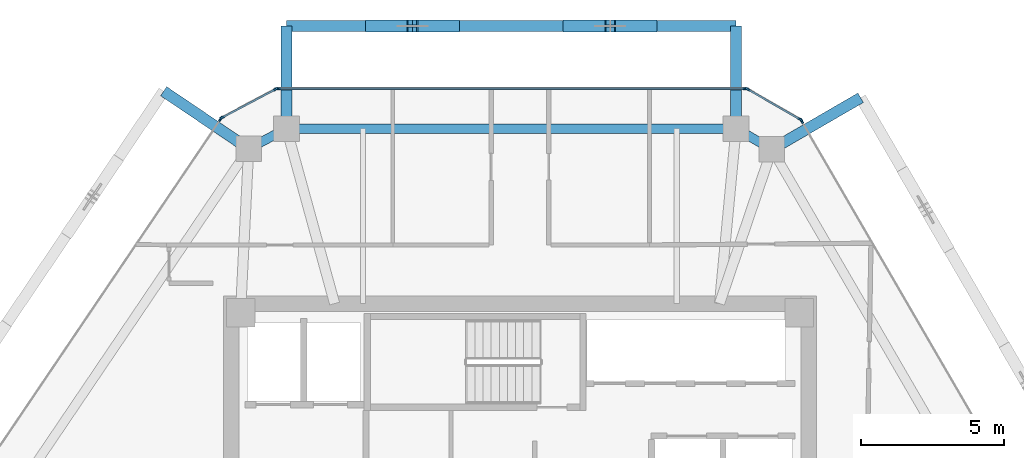
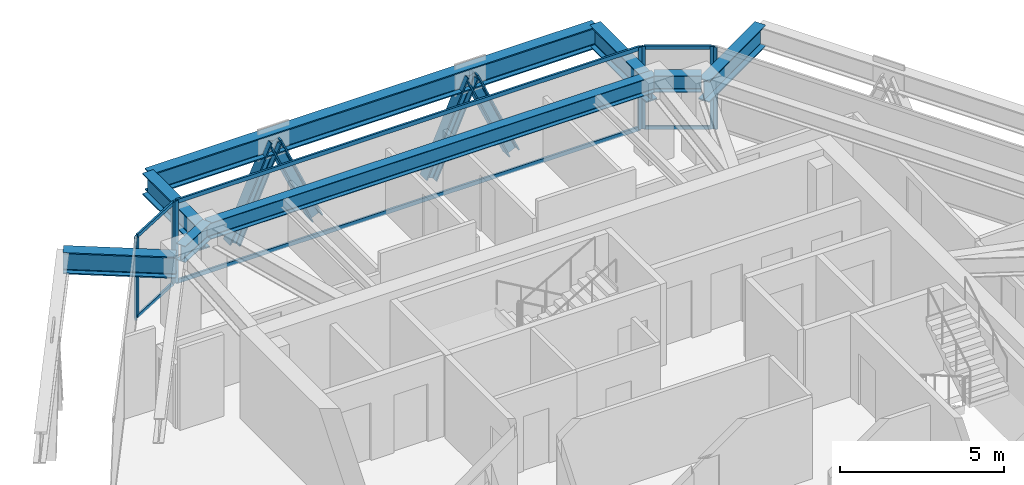
# One storey, part 6 of 13: 18 members, 8 beams, 5 elements without a shape of their own.
"""IFC4 building model written with IfcOpenShell, lengths in metres."""

from ifc_helpers import new_model, si_unit, direction, frame, origin, origin_2d, place, context, subcontext, project, spatial, rectangle, i_section, extrude, source, transform, mapped, material, layer, layer_set, material_profile, profile_set, type_object, type_shapes, element, aggregate, save


model = new_model("IFC4")

# Units and contexts
model_context = context("Model", 3, precision=1e-05, world=origin(), true_north=direction((0.0, 1.0)))
body_context = subcontext(model_context, "Body", "Model", "MODEL_VIEW")
ifc_project = project(units=[si_unit("LENGTHUNIT", "METRE"), si_unit("AREAUNIT", "SQUARE_METRE"), si_unit("VOLUMEUNIT", "CUBIC_METRE"), si_unit("PLANEANGLEUNIT", "RADIAN"), si_unit("MASSUNIT", "GRAM", prefix="KILO")], contexts=[model_context])

# Site, building, storey
site_placement = place(None, origin())
site = spatial("IfcSite", under=ifc_project, at=site_placement, CompositionType="ELEMENT")
building_placement = place(site_placement, origin())
building = spatial("IfcBuilding", under=site, at=building_placement, Name="Durnholm Broadcast Tower", CompositionType="ELEMENT")
storey_placement = place(building_placement, frame((0.0, 0.0, 241.39990234375)))
storey = spatial("IfcBuildingStorey", under=building, at=storey_placement, Name="L67", CompositionType="ELEMENT", Elevation=241.39990234375)

# Beams
ifc_material_1 = material(Name="Steel ASTM A992 Grade 50", Category="steel")
ifc_material_profile_1 = material_profile(ifc_material_1, i_section(OverallWidth=0.385009765625, OverallDepth=0.802978515625, WebThickness=0.023681640625, FlangeThickness=0.0419921875, FilletRadius=0.032958984375, at=origin_2d()), Name="W30X261")
ifc_profile_set_1 = profile_set([ifc_material_profile_1], Name="Steel ASTM A992 Grade 50")
beam_type_1 = type_object("IfcBeamType", Name="BM-EXO-TIE", PredefinedType="USERDEFINED", material=ifc_profile_set_1)
shared_shape_1 = source(origin(), body_context, "Body", "SweptSolid", [
    extrude(i_section(OverallWidth=0.385009765625, OverallDepth=0.802978515625, WebThickness=0.023681640625, FlangeThickness=0.0419921875, FilletRadius=0.032958984375, at=origin_2d()), origin(), (0.0, 0.0, 1.0), 3.4560546875),
])
for number, where, z_axis, x_axis, name in (
    (1, (7.57958984375, 14.406005859375, 2.30859375), (0.0, 1.0, 0.0), (-1.0, 0.0, 0.0), "L67 exoskeleton stand-off tie bracket F4.1"),
    (2, (-8.187744140625, 14.406005859375, 2.30859375), (0.0, 1.0, 0.0), (-1.0, 0.0, 0.0), "L67 exoskeleton stand-off tie bracket F4.2"),
):
    element("IfcBeam", number, at=place(storey_placement, frame(where, z_axis=z_axis, x_axis=x_axis)), inside=storey, type_object=beam_type_1, Name=name, ObjectType="GIRDER", PredefinedType="USERDEFINED", context=body_context, shape_type="MappedRepresentation", body=[
        mapped(shared_shape_1, transform((0.0, 0.0, 0.0), x_axis=(1.0, 0.0, 0.0), y_axis=(0.0, 1.0, 0.0), z_axis=(0.0, 0.0, 1.0), scale=1.0)),
    ])
shared_shape_2 = source(origin(), body_context, "Body", "SweptSolid", [
    extrude(i_section(OverallWidth=0.385009765625, OverallDepth=0.802978515625, WebThickness=0.023681640625, FlangeThickness=0.0419921875, FilletRadius=0.032958984375, at=origin_2d()), origin(), (0.0, 0.0, 1.0), 3.455810546875),
])
for number, where, z_axis, x_axis, name in (
    (3, (8.9619140625, 13.610107421875, 2.30859375), (0.864906682814, 0.501932694715, 0.0), (-0.501932694715, 0.864906682814, 0.0), "L67 exoskeleton stand-off tie bracket F3.2"),
    (4, (-9.63427734375, 13.637939453125, 2.30859375), (-0.828446342252, 0.560068440469, 0.0), (-0.560068440469, -0.828446342252, 0.0), "L67 exoskeleton stand-off tie bracket F5.1"),
):
    element("IfcBeam", number, at=place(storey_placement, frame(where, z_axis=z_axis, x_axis=x_axis)), inside=storey, type_object=beam_type_1, Name=name, ObjectType="GIRDER", PredefinedType="USERDEFINED", context=body_context, shape_type="MappedRepresentation", body=[
        mapped(shared_shape_2, transform((0.0, 0.0, 0.0), x_axis=(1.0, 0.0, 0.0), y_axis=(0.0, 1.0, 0.0), z_axis=(0.0, 0.0, 1.0), scale=1.0)),
    ])
ifc_material_profile_2 = material_profile(ifc_material_1, i_section(OverallWidth=0.3251953125, OverallDepth=0.6162109375, WebThickness=0.013916015625, FlangeThickness=0.021484375, FilletRadius=0.02783203125, at=origin_2d()), Name="W24X117")
ifc_profile_set_2 = profile_set([ifc_material_profile_2], Name="Steel ASTM A992 Grade 50")
beam_type_2 = type_object("IfcBeamType", Name="STL-SP-W24X117", PredefinedType="SPANDREL", material=ifc_profile_set_2)
shared_shape_3 = source(origin(), body_context, "Body", "SweptSolid", [
    extrude(i_section(OverallWidth=0.3251953125, OverallDepth=0.6162109375, WebThickness=0.013916015625, FlangeThickness=0.021484375, FilletRadius=0.02783203125, at=origin_2d()), origin(), (0.0, 0.0, 1.0), 1.502685546875),
])
beam_1_placement = place(storey_placement, frame((-9.514892578125, 13.557373046875, 2.737060546875), z_axis=(0.883241909673, 0.468917614296, 0.0), x_axis=(-0.468917614296, 0.883241909673, 0.0)))
element("IfcBeam", 5, at=beam_1_placement, inside=storey, type_object=beam_type_2, Name="L67 perimeter spandrel girder 04", PredefinedType="SPANDREL", context=body_context, shape_type="MappedRepresentation", body=[
    mapped(shared_shape_3, transform((0.0, 0.0, 0.0), x_axis=(1.0, 0.0, 0.0), y_axis=(0.0, 1.0, 0.0), z_axis=(0.0, 0.0, 1.0), scale=1.0)),
])
shared_shape_4 = source(origin(), body_context, "Body", "SweptSolid", [
    extrude(i_section(OverallWidth=0.3251953125, OverallDepth=0.6162109375, WebThickness=0.013916015625, FlangeThickness=0.021484375, FilletRadius=0.02783203125, at=origin_2d()), origin(), (0.0, 0.0, 1.0), 15.767333984375),
])
beam_2_placement = place(storey_placement, frame((-8.187744140625, 14.261962890625, 2.737060546875), z_axis=(1.0, 0.0, 0.0), x_axis=(0.0, 1.0, 0.0)))
element("IfcBeam", 6, at=beam_2_placement, inside=storey, type_object=beam_type_2, Name="L67 perimeter spandrel girder 05", PredefinedType="SPANDREL", context=body_context, shape_type="MappedRepresentation", body=[
    mapped(shared_shape_4, transform((0.0, 0.0, 0.0), x_axis=(1.0, 0.0, 0.0), y_axis=(0.0, 1.0, 0.0), z_axis=(0.0, 0.0, 1.0), scale=1.0)),
])
shared_shape_5 = source(origin(), body_context, "Body", "SweptSolid", [
    extrude(i_section(OverallWidth=0.3251953125, OverallDepth=0.6162109375, WebThickness=0.013916015625, FlangeThickness=0.021484375, FilletRadius=0.02783203125, at=origin_2d()), origin(), (0.0, 0.0, 1.0), 1.451416015625),
])
type_shapes(beam_type_2, [shared_shape_3, shared_shape_4, shared_shape_5])
beam_3_placement = place(storey_placement, frame((7.57958984375, 14.261962890625, 2.737060546875), z_axis=(0.866571760088, -0.499052486836, 0.0), x_axis=(0.499052486836, 0.866571760088, 0.0)))
element("IfcBeam", 7, at=beam_3_placement, inside=storey, type_object=beam_type_2, Name="L67 perimeter spandrel girder 06", PredefinedType="SPANDREL", context=body_context, shape_type="MappedRepresentation", body=[
    mapped(shared_shape_5, transform((0.0, 0.0, 0.0), x_axis=(1.0, 0.0, 0.0), y_axis=(0.0, 1.0, 0.0), z_axis=(0.0, 0.0, 1.0), scale=1.0)),
])
shared_shape_6 = source(origin(), body_context, "Body", "SweptSolid", [
    extrude(i_section(OverallWidth=0.385009765625, OverallDepth=0.802978515625, WebThickness=0.023681640625, FlangeThickness=0.0419921875, FilletRadius=0.032958984375, at=origin_2d()), origin(), (0.0, 0.0, 1.0), 15.767333984375),
])
type_shapes(beam_type_1, [shared_shape_1, shared_shape_2, shared_shape_6])
beam_4_placement = place(storey_placement, frame((7.57958984375, 17.862060546875, 2.30859375), z_axis=(-1.0, 0.0, 0.0), x_axis=(0.0, -1.0, 0.0)))
element("IfcBeam", 8, at=beam_4_placement, inside=storey, type_object=beam_type_1, Name="L67 exoskeleton collector spandrel F4", PredefinedType="SPANDREL", context=body_context, shape_type="MappedRepresentation", body=[
    mapped(shared_shape_6, transform((0.0, 0.0, 0.0), x_axis=(1.0, 0.0, 0.0), y_axis=(0.0, 1.0, 0.0), z_axis=(0.0, 0.0, 1.0), scale=1.0)),
])

# Members
ifc_material_2 = material(Name="Steel ASTM A913 Grade 65", Category="steel")
ifc_material_profile_3 = material_profile(ifc_material_2, i_section(OverallWidth=0.40625, OverallDepth=0.416015625, WebThickness=0.02978515625, FlangeThickness=0.048095703125, FilletRadius=0.030517578125, at=origin_2d()), Name="W14X257")
ifc_profile_set_3 = profile_set([ifc_material_profile_3], Name="Steel ASTM A913 Grade 65")
member_type_1 = type_object("IfcMemberType", Name="STL-DG-W14X257", PredefinedType="BRACE", material=ifc_profile_set_3)
shared_shape_7 = source(origin(), body_context, "Body", "SweptSolid", [
    extrude(i_section(OverallWidth=0.40625, OverallDepth=0.416015625, WebThickness=0.02978515625, FlangeThickness=0.048095703125, FilletRadius=0.030517578125, at=origin_2d()), origin(), (0.0, 0.0, 1.0), 3.60791015625),
])
for number, where, z_axis, x_axis, name in (
    (9, (4.623046875, 17.862060546875, -0.991455078125), (-0.404184914295, 0.0, 0.914677295584), (0.0, -1.0, 0.0), "L67 stand-off diagrid brace F4.D1.1"),
    (10, (1.70654296875, 17.862060546875, -0.991455078125), (0.404184914295, 0.0, 0.914677295584), (0.0, 1.0, 0.0), "L67 stand-off diagrid brace F4.D1.2"),
    (11, (-5.23095703125, 17.862060546875, -0.991455078125), (0.404184914295, 0.0, 0.914677295584), (0.0, 1.0, 0.0), "L67 stand-off diagrid brace F4.D2.2"),
):
    element("IfcMember", number, at=place(storey_placement, frame(where, z_axis=z_axis, x_axis=x_axis)), inside=storey, type_object=member_type_1, Name=name, PredefinedType="BRACE", context=body_context, shape_type="MappedRepresentation", body=[
        mapped(shared_shape_7, transform((0.0, 0.0, 0.0), x_axis=(1.0, 0.0, 0.0), y_axis=(0.0, 1.0, 0.0), z_axis=(0.0, 0.0, 1.0), scale=1.0)),
    ])
shared_shape_8 = source(origin(), body_context, "Body", "SweptSolid", [
    extrude(i_section(OverallWidth=0.40625, OverallDepth=0.416015625, WebThickness=0.02978515625, FlangeThickness=0.048095703125, FilletRadius=0.030517578125, at=origin_2d()), origin(), (0.0, 0.0, 1.0), 3.607666015625),
])
type_shapes(member_type_1, [shared_shape_7, shared_shape_8])
member_1_placement = place(storey_placement, frame((-2.314697265625, 17.862060546875, -0.991455078125), z_axis=(-0.404128298032, 0.0, 0.914702311536), x_axis=(0.0, -1.0, 0.0)))
element("IfcMember", 12, at=member_1_placement, inside=storey, type_object=member_type_1, Name="L67 stand-off diagrid brace F4.D2.1", PredefinedType="BRACE", context=body_context, shape_type="MappedRepresentation", body=[
    mapped(shared_shape_8, transform((0.0, 0.0, 0.0), x_axis=(1.0, 0.0, 0.0), y_axis=(0.0, 1.0, 0.0), z_axis=(0.0, 0.0, 1.0), scale=1.0)),
])

# Curtain wall, members
ifc_material_3 = material(Name="Aluminium and Solar Control IGU", Category="aluminium")
ifc_layer_1 = layer(ifc_material_3, 0.1650390625)
ifc_layer_set_1 = layer_set([ifc_layer_1], Name="Aluminium and Solar Control IGU")
curtain_wall_type_1 = type_object("IfcCurtainWallType", Name="CW-SYS-5", PredefinedType="NOTDEFINED", material=ifc_layer_set_1)
curtain_wall_1_placement = place(storey_placement, origin())
curtain_wall_1 = element("IfcCurtainWall", 13, at=curtain_wall_1_placement, inside=storey, type_object=curtain_wall_type_1, Name="L67 curtain wall CW-CORNER CW-L67-CRN-03", PredefinedType="NOTDEFINED")
ifc_material_4 = material(Name="Aluminium 6063-T6", Category="aluminium")
ifc_material_profile_4 = material_profile(ifc_material_4, rectangle(XDim=0.06494140625, YDim=0.1298828125, at=origin_2d()), Name="CWT65X130")
ifc_profile_set_4 = profile_set([ifc_material_profile_4], Name="Aluminium 6063-T6")
member_type_2 = type_object("IfcMemberType", Name="CW-SYS-5-TRN", PredefinedType="USERDEFINED", material=ifc_profile_set_4)
shared_shape_9 = source(origin(), body_context, "Body", "SweptSolid", [
    extrude(rectangle(XDim=0.06494140625, YDim=0.1298828125, at=origin_2d()), origin(), (0.0, 0.0, 1.0), 2.070068359375),
])
type_shapes(member_type_2, [shared_shape_9])
member_2_placement = place(storey_placement, frame((-10.421875, 14.66064453125, 0.03271484375), z_axis=(0.883164581026, 0.469063239682, 0.0), x_axis=(-0.469063239682, 0.883164581026, 0.0)))
member_2 = element("IfcMember", 14, at=member_2_placement, type_object=member_type_2, Name="CW-CORNER transom 1.1", ObjectType="TRANSOM", PredefinedType="USERDEFINED", context=body_context, shape_type="MappedRepresentation", body=[
    mapped(shared_shape_9, transform((0.0, 0.0, 0.0), x_axis=(1.0, 0.0, 0.0), y_axis=(0.0, 1.0, 0.0), z_axis=(0.0, 0.0, 1.0), scale=1.0)),
])
member_3_placement = place(storey_placement, frame((-10.421875, 14.66064453125, 3.027587890625), z_axis=(0.883164581026, 0.469063239682, 0.0), x_axis=(-0.469063239682, 0.883164581026, 0.0)))
member_3 = element("IfcMember", 15, at=member_3_placement, type_object=member_type_2, Name="CW-CORNER transom 1.2", ObjectType="TRANSOM", PredefinedType="USERDEFINED", context=body_context, shape_type="MappedRepresentation", body=[
    mapped(shared_shape_9, transform((0.0, 0.0, 0.0), x_axis=(1.0, 0.0, 0.0), y_axis=(0.0, 1.0, 0.0), z_axis=(0.0, 0.0, 1.0), scale=1.0)),
])

curtain_wall_2_placement = place(storey_placement, origin())
curtain_wall_2 = element("IfcCurtainWall", 16, at=curtain_wall_2_placement, inside=storey, type_object=curtain_wall_type_1, Name="L67 curtain wall CW-CORNER CW-L67-CRN-05", PredefinedType="NOTDEFINED")
member_4_placement = place(storey_placement, frame((8.01025390625, 15.629638671875, 0.03271484375), z_axis=(0.866525076636, -0.499133540809, 0.0), x_axis=(0.499133540809, 0.866525076636, 0.0)))
member_4 = element("IfcMember", 17, at=member_4_placement, type_object=member_type_2, Name="CW-CORNER transom 1.1", ObjectType="TRANSOM", PredefinedType="USERDEFINED", context=body_context, shape_type="MappedRepresentation", body=[
    mapped(shared_shape_9, transform((0.0, 0.0, 0.0), x_axis=(1.0, 0.0, 0.0), y_axis=(0.0, 1.0, 0.0), z_axis=(0.0, 0.0, 1.0), scale=1.0)),
])
member_5_placement = place(storey_placement, frame((8.01025390625, 15.629638671875, 3.027587890625), z_axis=(0.866525076636, -0.499133540809, 0.0), x_axis=(0.499133540809, 0.866525076636, 0.0)))
member_5 = element("IfcMember", 18, at=member_5_placement, type_object=member_type_2, Name="CW-CORNER transom 1.2", ObjectType="TRANSOM", PredefinedType="USERDEFINED", context=body_context, shape_type="MappedRepresentation", body=[
    mapped(shared_shape_9, transform((0.0, 0.0, 0.0), x_axis=(1.0, 0.0, 0.0), y_axis=(0.0, 1.0, 0.0), z_axis=(0.0, 0.0, 1.0), scale=1.0)),
])

# Member
ifc_material_profile_5 = material_profile(ifc_material_4, rectangle(XDim=0.06494140625, YDim=0.1650390625, at=origin_2d()), Name="CWM65X165")
ifc_profile_set_5 = profile_set([ifc_material_profile_5], Name="Aluminium 6063-T6")
member_type_3 = type_object("IfcMemberType", Name="CW-SYS-5-MUL", PredefinedType="MULLION", material=ifc_profile_set_5)
shared_shape_10 = source(origin(), body_context, "Body", "SweptSolid", [
    extrude(rectangle(XDim=0.06494140625, YDim=0.1650390625, at=origin_2d()), origin(), (0.0, 0.0, 1.0), 3.06005859375),
])
type_shapes(member_type_3, [shared_shape_10])
member_6_placement = place(storey_placement, frame((-10.45068359375, 14.6455078125, 0.0), z_axis=(0.0, 0.0, 1.0), x_axis=(-0.469006771575, 0.883194569853, 0.0)))
member_6 = element("IfcMember", 19, at=member_6_placement, type_object=member_type_3, Name="CW-CORNER mullion 1", PredefinedType="MULLION", context=body_context, shape_type="MappedRepresentation", body=[
    mapped(shared_shape_10, transform((0.0, 0.0, 0.0), x_axis=(1.0, 0.0, 0.0), y_axis=(0.0, 1.0, 0.0), z_axis=(0.0, 0.0, 1.0), scale=1.0)),
])

member_7_placement = place(storey_placement, frame((-8.565185546875, 15.646728515625, 0.0), z_axis=(0.0, 0.0, 1.0), x_axis=(-0.469006771575, 0.883194569853, 0.0)))
member_7 = element("IfcMember", 20, at=member_7_placement, type_object=member_type_3, Name="CW-CORNER mullion 2", PredefinedType="MULLION", context=body_context, shape_type="MappedRepresentation", body=[
    mapped(shared_shape_10, transform((0.0, 0.0, 0.0), x_axis=(1.0, 0.0, 0.0), y_axis=(0.0, 1.0, 0.0), z_axis=(0.0, 0.0, 1.0), scale=1.0)),
])

aggregate(curtain_wall_1, [member_6, member_7, member_2, member_3])

member_8_placement = place(storey_placement, frame((7.982177734375, 15.645751953125, 0.0), z_axis=(0.0, 0.0, 1.0), x_axis=(0.499058582333, 0.866568249707, 0.0)))
member_8 = element("IfcMember", 21, at=member_8_placement, type_object=member_type_3, Name="CW-CORNER mullion 1", PredefinedType="MULLION", context=body_context, shape_type="MappedRepresentation", body=[
    mapped(shared_shape_10, transform((0.0, 0.0, 0.0), x_axis=(1.0, 0.0, 0.0), y_axis=(0.0, 1.0, 0.0), z_axis=(0.0, 0.0, 1.0), scale=1.0)),
])

member_9_placement = place(storey_placement, frame((9.832275390625, 14.580322265625, 0.0), z_axis=(0.0, 0.0, 1.0), x_axis=(0.499058582333, 0.866568249707, 0.0)))
member_9 = element("IfcMember", 22, at=member_9_placement, type_object=member_type_3, Name="CW-CORNER mullion 2", PredefinedType="MULLION", context=body_context, shape_type="MappedRepresentation", body=[
    mapped(shared_shape_10, transform((0.0, 0.0, 0.0), x_axis=(1.0, 0.0, 0.0), y_axis=(0.0, 1.0, 0.0), z_axis=(0.0, 0.0, 1.0), scale=1.0)),
])

aggregate(curtain_wall_2, [member_8, member_9, member_4, member_5])

# Curtain wall, member
ifc_layer_2 = layer(ifc_material_3, 0.18994140625)
ifc_layer_set_2 = layer_set([ifc_layer_2], Name="Aluminium and Solar Control IGU")
curtain_wall_type_2 = type_object("IfcCurtainWallType", Name="CW-SYS-4", PredefinedType="NOTDEFINED", material=ifc_layer_set_2)
curtain_wall_3_placement = place(storey_placement, origin())
curtain_wall_3 = element("IfcCurtainWall", 23, at=curtain_wall_3_placement, inside=storey, type_object=curtain_wall_type_2, Name="L67 curtain wall CW-Z34-VIS CW-L67-F02", PredefinedType="NOTDEFINED")
ifc_material_profile_6 = material_profile(ifc_material_4, rectangle(XDim=0.070068359375, YDim=0.18994140625, at=origin_2d()), Name="CWM70X190")
ifc_profile_set_6 = profile_set([ifc_material_profile_6], Name="Aluminium 6063-T6")
member_type_4 = type_object("IfcMemberType", Name="CW-SYS-4-MUL", PredefinedType="MULLION", material=ifc_profile_set_6)
shared_shape_11 = source(origin(), body_context, "Body", "SweptSolid", [
    extrude(rectangle(XDim=0.070068359375, YDim=0.18994140625, at=origin_2d()), origin(), (0.0, 0.0, 1.0), 3.06005859375),
])
type_shapes(member_type_4, [shared_shape_11])
member_10_placement = place(storey_placement, frame((-10.4990234375, 14.601318359375, 0.0), z_axis=(0.0, 0.0, 1.0), x_axis=(-0.828443431662, 0.560072745753, 0.0)))
member_10 = element("IfcMember", 24, at=member_10_placement, type_object=member_type_4, Name="CW-Z34-VIS mullion 2", PredefinedType="MULLION", context=body_context, shape_type="MappedRepresentation", body=[
    mapped(shared_shape_11, transform((0.0, 0.0, 0.0), x_axis=(1.0, 0.0, 0.0), y_axis=(0.0, 1.0, 0.0), z_axis=(0.0, 0.0, 1.0), scale=1.0)),
])
aggregate(curtain_wall_3, [member_10])

# Curtain wall, members
curtain_wall_4_placement = place(storey_placement, origin())
curtain_wall_4 = element("IfcCurtainWall", 25, at=curtain_wall_4_placement, inside=storey, type_object=curtain_wall_type_2, Name="L67 curtain wall CW-Z34-VIS CW-L67-F04", PredefinedType="NOTDEFINED")
member_11_placement = place(storey_placement, frame((-8.50146484375, 15.662109375, 0.0), z_axis=(0.0, 0.0, 1.0), x_axis=(0.0, 1.0, 0.0)))
member_11 = element("IfcMember", 26, at=member_11_placement, type_object=member_type_4, Name="CW-Z34-VIS mullion 1", PredefinedType="MULLION", context=body_context, shape_type="MappedRepresentation", body=[
    mapped(shared_shape_11, transform((0.0, 0.0, 0.0), x_axis=(1.0, 0.0, 0.0), y_axis=(0.0, 1.0, 0.0), z_axis=(0.0, 0.0, 1.0), scale=1.0)),
])
member_12_placement = place(storey_placement, frame((7.9189453125, 15.662109375, 0.0), z_axis=(0.0, 0.0, 1.0), x_axis=(0.0, 1.0, 0.0)))
member_12 = element("IfcMember", 27, at=member_12_placement, type_object=member_type_4, Name="CW-Z34-VIS mullion 2", PredefinedType="MULLION", context=body_context, shape_type="MappedRepresentation", body=[
    mapped(shared_shape_11, transform((0.0, 0.0, 0.0), x_axis=(1.0, 0.0, 0.0), y_axis=(0.0, 1.0, 0.0), z_axis=(0.0, 0.0, 1.0), scale=1.0)),
])

# Curtain wall, member
curtain_wall_5_placement = place(storey_placement, origin())
curtain_wall_5 = element("IfcCurtainWall", 28, at=curtain_wall_5_placement, inside=storey, type_object=curtain_wall_type_2, Name="L67 curtain wall CW-Z34-VIS CW-L67-F06", PredefinedType="NOTDEFINED")
member_13_placement = place(storey_placement, frame((9.8779296875, 14.533935546875, 0.0), z_axis=(0.0, 0.0, 1.0), x_axis=(0.864899883824, 0.50194441023, 0.0)))
member_13 = element("IfcMember", 29, at=member_13_placement, type_object=member_type_4, Name="CW-Z34-VIS mullion 1", PredefinedType="MULLION", context=body_context, shape_type="MappedRepresentation", body=[
    mapped(shared_shape_11, transform((0.0, 0.0, 0.0), x_axis=(1.0, 0.0, 0.0), y_axis=(0.0, 1.0, 0.0), z_axis=(0.0, 0.0, 1.0), scale=1.0)),
])
aggregate(curtain_wall_5, [member_13])

# Member
ifc_material_profile_7 = material_profile(ifc_material_4, rectangle(XDim=0.070068359375, YDim=0.14990234375, at=origin_2d()), Name="CWT70X150")
ifc_profile_set_7 = profile_set([ifc_material_profile_7], Name="Aluminium 6063-T6")
member_type_5 = type_object("IfcMemberType", Name="CW-SYS-4-TRN", PredefinedType="USERDEFINED", material=ifc_profile_set_7)
shared_shape_12 = source(origin(), body_context, "Body", "SweptSolid", [
    extrude(rectangle(XDim=0.070068359375, YDim=0.14990234375, at=origin_2d()), origin(), (0.0, 0.0, 1.0), 16.350341796875),
])
type_shapes(member_type_5, [shared_shape_12])
member_14_placement = place(storey_placement, frame((-8.46630859375, 15.662109375, 0.03515625), z_axis=(1.0, 0.0, 0.0), x_axis=(0.0, 1.0, 0.0)))
member_14 = element("IfcMember", 30, at=member_14_placement, type_object=member_type_5, Name="CW-Z34-VIS transom 1.1", ObjectType="TRANSOM", PredefinedType="USERDEFINED", context=body_context, shape_type="MappedRepresentation", body=[
    mapped(shared_shape_12, transform((0.0, 0.0, 0.0), x_axis=(1.0, 0.0, 0.0), y_axis=(0.0, 1.0, 0.0), z_axis=(0.0, 0.0, 1.0), scale=1.0)),
])

member_15_placement = place(storey_placement, frame((-8.46630859375, 15.662109375, 3.025146484375), z_axis=(1.0, 0.0, 0.0), x_axis=(0.0, 1.0, 0.0)))
member_15 = element("IfcMember", 31, at=member_15_placement, type_object=member_type_5, Name="CW-Z34-VIS transom 1.2", ObjectType="TRANSOM", PredefinedType="USERDEFINED", context=body_context, shape_type="MappedRepresentation", body=[
    mapped(shared_shape_12, transform((0.0, 0.0, 0.0), x_axis=(1.0, 0.0, 0.0), y_axis=(0.0, 1.0, 0.0), z_axis=(0.0, 0.0, 1.0), scale=1.0)),
])

aggregate(curtain_wall_4, [member_11, member_12, member_14, member_15])

save(model, "model.ifc")
